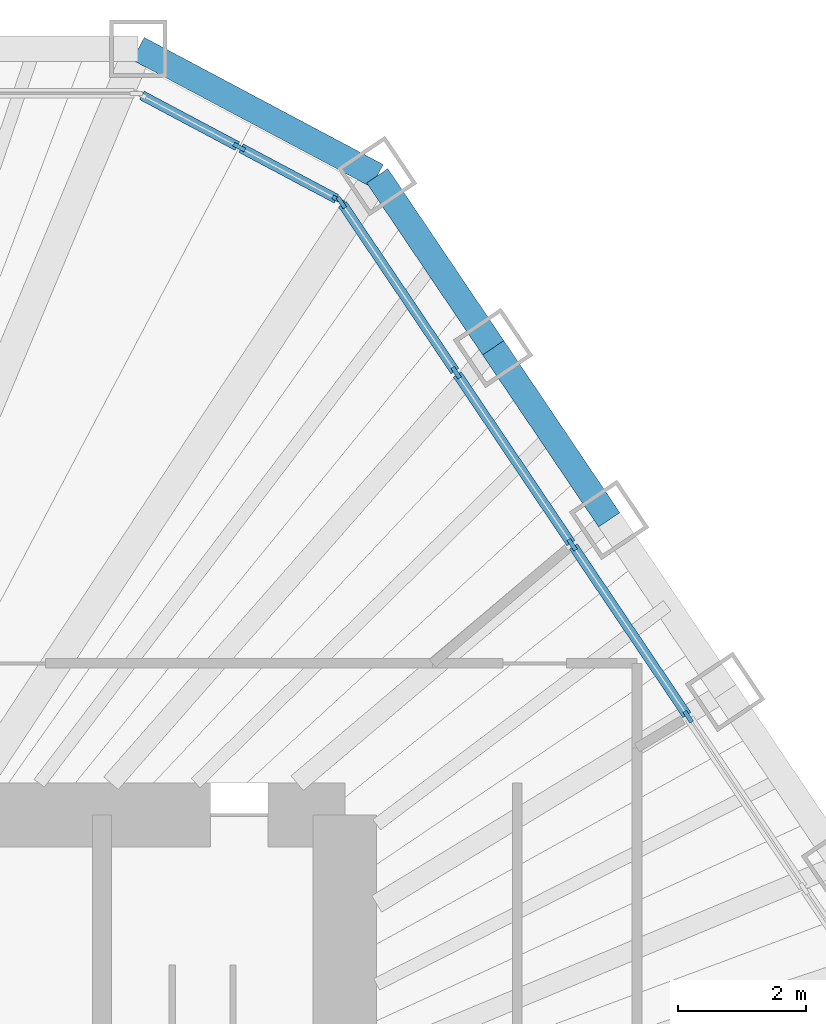
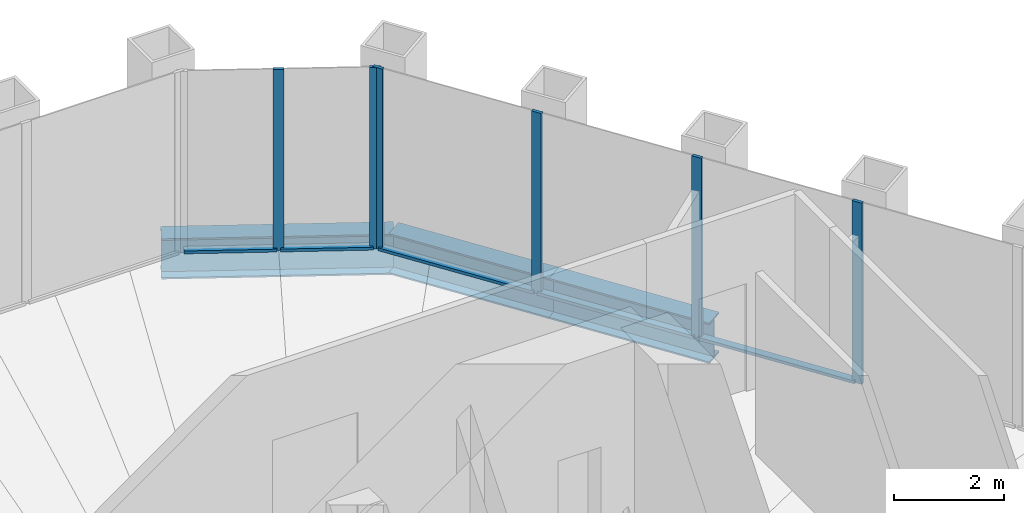
# One storey, part 8 of 14: 11 members, 3 beams, 2 elements without a shape of their own.
"""IFC4 building model written with IfcOpenShell, lengths in metres."""

from ifc_helpers import new_model, si_unit, direction, frame, origin, origin_2d, place, context, subcontext, project, spatial, rectangle, i_section, extrude, material, material_profile, profile_set, type_object, element, aggregate, save


model = new_model("IFC4")

# Units and contexts
model_context = context("Model", 3, precision=1e-05, world=origin(), true_north=direction((0.0, 1.0)))
body_context = subcontext(model_context, "Body", "Model", "MODEL_VIEW")
ifc_project = project(units=[si_unit("LENGTHUNIT", "METRE"), si_unit("AREAUNIT", "SQUARE_METRE"), si_unit("VOLUMEUNIT", "CUBIC_METRE"), si_unit("PLANEANGLEUNIT", "RADIAN"), si_unit("MASSUNIT", "GRAM", prefix="KILO")], contexts=[model_context])

# Site, building, storey
site_placement = place(None, origin())
site = spatial("IfcSite", under=ifc_project, at=site_placement, CompositionType="ELEMENT")
building_placement = place(site_placement, origin())
building = spatial("IfcBuilding", under=site, at=building_placement, Name="Qingtian Harvest Tower", CompositionType="ELEMENT")
storey_placement = place(building_placement, frame((0.0, 0.0, 291.39990234375)))
storey = spatial("IfcBuildingStorey", under=building, at=storey_placement, Name="L64", CompositionType="ELEMENT", Elevation=291.39990234375)

# Curtain wall, members
ifc_material_1 = material(Name="Bronze-anodised aluminium curtain wall", Category="aluminium")
curtain_wall_type = type_object("IfcCurtainWallType", Name="Curtain wall CW5 upper office", PredefinedType="USERDEFINED", material=ifc_material_1)
curtain_wall_1_placement = place(storey_placement, origin())
curtain_wall_1 = element("IfcCurtainWall", 1, at=curtain_wall_1_placement, inside=storey, type_object=curtain_wall_type, Name="Curtain wall CW5 L64 NC", ObjectType="RECESSED CURTAIN WALL", PredefinedType="USERDEFINED")
ifc_material_2 = material(Name="Bronze-anodised aluminium mullion", Category="aluminium")
ifc_material_profile_1 = material_profile(ifc_material_2, rectangle(XDim=0.06494140625, YDim=0.199951171875, at=origin_2d()), Name="AL 65x200")
ifc_profile_set_1 = profile_set([ifc_material_profile_1], Name="Bronze-anodised aluminium mullion")
member_type_1 = type_object("IfcMemberType", Name="Mullion CWM 65x200", PredefinedType="MULLION", material=ifc_profile_set_1)
member_1_placement = place(storey_placement, frame((10.3466796875, 19.45947265625, 0.0), z_axis=(0.0, 0.0, 1.0), x_axis=(0.469471562786, 0.882947592859, 0.0)))
member_1 = element("IfcMember", 2, at=member_1_placement, type_object=member_type_1, Name="CW5 mullion 2", PredefinedType="MULLION", context=body_context, shape_type="SweptSolid", body=[
    extrude(rectangle(XDim=0.06494140625, YDim=0.199951171875, at=origin_2d()), origin(), (0.0, 0.0, 1.0), 4.030029296875),
])
member_2_placement = place(storey_placement, frame((11.89892578125, 18.634033203125, 0.0), z_axis=(0.0, 0.0, 1.0), x_axis=(0.469471562786, 0.882947592859, 0.0)))
member_2 = element("IfcMember", 3, at=member_2_placement, type_object=member_type_1, Name="CW5 mullion 3", PredefinedType="MULLION", context=body_context, shape_type="SweptSolid", body=[
    extrude(rectangle(XDim=0.06494140625, YDim=0.199951171875, at=origin_2d()), origin(), (0.0, 0.0, 1.0), 4.030029296875),
])

curtain_wall_2_placement = place(storey_placement, origin())
curtain_wall_2 = element("IfcCurtainWall", 4, at=curtain_wall_2_placement, inside=storey, type_object=curtain_wall_type, Name="Curtain wall CW5 L64 NE0-5", ObjectType="RECESSED CURTAIN WALL", PredefinedType="USERDEFINED")
member_3_placement = place(storey_placement, frame((11.94580078125, 18.592041015625, 0.0), z_axis=(0.0, 0.0, 1.0), x_axis=(0.829037572555, 0.559192903471, 0.0)))
member_3 = element("IfcMember", 5, at=member_3_placement, type_object=member_type_1, Name="CW5 mullion 1", PredefinedType="MULLION", context=body_context, shape_type="SweptSolid", body=[
    extrude(rectangle(XDim=0.06494140625, YDim=0.199951171875, at=origin_2d()), origin(), (0.0, 0.0, 1.0), 4.030029296875),
])
member_4_placement = place(storey_placement, frame((13.743896484375, 15.926025390625, 0.0), z_axis=(0.0, 0.0, 1.0), x_axis=(0.829037572555, 0.559192903471, 0.0)))
member_4 = element("IfcMember", 6, at=member_4_placement, type_object=member_type_1, Name="CW5 mullion 2", PredefinedType="MULLION", context=body_context, shape_type="SweptSolid", body=[
    extrude(rectangle(XDim=0.06494140625, YDim=0.199951171875, at=origin_2d()), origin(), (0.0, 0.0, 1.0), 4.030029296875),
])
member_5_placement = place(storey_placement, frame((15.56005859375, 13.2333984375, 0.0), z_axis=(0.0, 0.0, 1.0), x_axis=(0.829037572555, 0.559192903471, 0.0)))
member_5 = element("IfcMember", 7, at=member_5_placement, type_object=member_type_1, Name="CW5 mullion 3", PredefinedType="MULLION", context=body_context, shape_type="SweptSolid", body=[
    extrude(rectangle(XDim=0.06494140625, YDim=0.199951171875, at=origin_2d()), origin(), (0.0, 0.0, 1.0), 4.030029296875),
])
member_6_placement = place(storey_placement, frame((17.37646484375, 10.540771484375, 0.0), z_axis=(0.0, 0.0, 1.0), x_axis=(0.829037572555, 0.559192903471, 0.0)))
member_6 = element("IfcMember", 8, at=member_6_placement, type_object=member_type_1, Name="CW5 mullion 4", PredefinedType="MULLION", context=body_context, shape_type="SweptSolid", body=[
    extrude(rectangle(XDim=0.06494140625, YDim=0.199951171875, at=origin_2d()), origin(), (0.0, 0.0, 1.0), 4.030029296875),
])

# Beams
ifc_material_3 = material(Name="Steel SN490B", Category="steel")
ifc_material_profile_2 = material_profile(ifc_material_3, i_section(OverallWidth=0.39990234375, OverallDepth=0.89990234375, WebThickness=0.01904296875, FlangeThickness=0.035888671875, at=origin_2d()), Name="H900x400x19x36")
ifc_profile_set_2 = profile_set([ifc_material_profile_2], Name="Steel SN490B")
beam_type = type_object("IfcBeamType", Name="Spandrel beam SB4 H900x400x19x36", PredefinedType="SPANDREL", material=ifc_profile_set_2)
beam_1_placement = place(storey_placement, frame((8.765869140625, 21.0, -0.449951171875), z_axis=(0.882948599748, -0.469469669099, 0.0), x_axis=(0.469469669099, 0.882948599748, 0.0)))
element("IfcBeam", 9, at=beam_1_placement, inside=storey, type_object=beam_type, Name="Spandrel SB4 NC", PredefinedType="SPANDREL", context=body_context, shape_type="SweptSolid", body=[
    extrude(i_section(OverallWidth=0.39990234375, OverallDepth=0.89990234375, WebThickness=0.01904296875, FlangeThickness=0.035888671875, at=origin_2d()), origin(), (0.0, 0.0, 1.0), 4.23828125),
])
beam_2_placement = place(storey_placement, frame((12.508056640625, 19.01025390625, -0.449951171875), z_axis=(0.559184924833, -0.829042954158, 0.0), x_axis=(0.829042954158, 0.559184924833, 0.0)))
element("IfcBeam", 10, at=beam_2_placement, inside=storey, type_object=beam_type, Name="Spandrel SB4 NE0", PredefinedType="SPANDREL", context=body_context, shape_type="SweptSolid", body=[
    extrude(i_section(OverallWidth=0.39990234375, OverallDepth=0.89990234375, WebThickness=0.01904296875, FlangeThickness=0.035888671875, at=origin_2d()), origin(), (0.0, 0.0, 1.0), 3.247802734375),
])
beam_3_placement = place(storey_placement, frame((14.32421875, 16.317626953125, -0.449951171875), z_axis=(0.559201740147, -0.829031612073, 0.0), x_axis=(0.829031612073, 0.559201740147, 0.0)))
element("IfcBeam", 11, at=beam_3_placement, inside=storey, type_object=beam_type, Name="Spandrel SB4 NE1", PredefinedType="SPANDREL", context=body_context, shape_type="SweptSolid", body=[
    extrude(i_section(OverallWidth=0.39990234375, OverallDepth=0.89990234375, WebThickness=0.01904296875, FlangeThickness=0.035888671875, at=origin_2d()), origin(), (0.0, 0.0, 1.0), 3.248291015625),
])

# Member
ifc_material_4 = material(Name="Bronze-anodised aluminium transom", Category="aluminium")
ifc_material_profile_3 = material_profile(ifc_material_4, rectangle(XDim=0.14990234375, YDim=0.06494140625, at=origin_2d()), Name="AL 65x150")
ifc_profile_set_3 = profile_set([ifc_material_profile_3], Name="Bronze-anodised aluminium transom")
member_type_2 = type_object("IfcMemberType", Name="Transom CWT 65x150", PredefinedType="USERDEFINED", material=ifc_profile_set_3)
member_7_placement = place(storey_placement, frame((8.8232421875, 20.26953125, 0.03271484375), z_axis=(0.882927080927, -0.469510138086, 0.0), x_axis=(0.469510138086, 0.882927080927, 0.0)))
member_7 = element("IfcMember", 12, at=member_7_placement, type_object=member_type_2, Name="CW5 transom 1.1", ObjectType="TRANSOM", PredefinedType="USERDEFINED", context=body_context, shape_type="SweptSolid", body=[
    extrude(rectangle(XDim=0.14990234375, YDim=0.06494140625, at=origin_2d()), origin(), (0.0, 0.0, 1.0), 1.693115234375),
])

member_8_placement = place(storey_placement, frame((10.37548828125, 19.444091796875, 0.03271484375), z_axis=(0.882986854304, -0.469397715297, 0.0), x_axis=(0.469397715297, 0.882986854304, 0.0)))
member_8 = element("IfcMember", 13, at=member_8_placement, type_object=member_type_2, Name="CW5 transom 2.1", ObjectType="TRANSOM", PredefinedType="USERDEFINED", context=body_context, shape_type="SweptSolid", body=[
    extrude(rectangle(XDim=0.14990234375, YDim=0.06494140625, at=origin_2d()), origin(), (0.0, 0.0, 1.0), 1.69287109375),
])

aggregate(curtain_wall_1, [member_1, member_2, member_7, member_8])

member_9_placement = place(storey_placement, frame((11.9638671875, 18.56494140625, 0.03271484375), z_axis=(0.559251907839, -0.828997770551, 0.0), x_axis=(0.828997770551, 0.559251907839, 0.0)))
member_9 = element("IfcMember", 14, at=member_9_placement, type_object=member_type_2, Name="CW5 transom 1.1", ObjectType="TRANSOM", PredefinedType="USERDEFINED", context=body_context, shape_type="SweptSolid", body=[
    extrude(rectangle(XDim=0.14990234375, YDim=0.06494140625, at=origin_2d()), origin(), (0.0, 0.0, 1.0), 3.150634765625),
])

member_10_placement = place(storey_placement, frame((13.761962890625, 15.899169921875, 0.03271484375), z_axis=(0.55920542009, -0.829029129852, 0.0), x_axis=(0.829029129852, 0.55920542009, 0.0)))
member_10 = element("IfcMember", 15, at=member_10_placement, type_object=member_type_2, Name="CW5 transom 2.1", ObjectType="TRANSOM", PredefinedType="USERDEFINED", context=body_context, shape_type="SweptSolid", body=[
    extrude(rectangle(XDim=0.14990234375, YDim=0.06494140625, at=origin_2d()), origin(), (0.0, 0.0, 1.0), 3.18310546875),
])

member_11_placement = place(storey_placement, frame((15.578369140625, 13.20654296875, 0.03271484375), z_axis=(0.55920542009, -0.829029129852, 0.0), x_axis=(0.829029129852, 0.55920542009, 0.0)))
member_11 = element("IfcMember", 16, at=member_11_placement, type_object=member_type_2, Name="CW5 transom 3.1", ObjectType="TRANSOM", PredefinedType="USERDEFINED", context=body_context, shape_type="SweptSolid", body=[
    extrude(rectangle(XDim=0.14990234375, YDim=0.06494140625, at=origin_2d()), origin(), (0.0, 0.0, 1.0), 3.18310546875),
])

aggregate(curtain_wall_2, [member_3, member_4, member_5, member_6, member_9, member_10, member_11])

save(model, "model.ifc")
